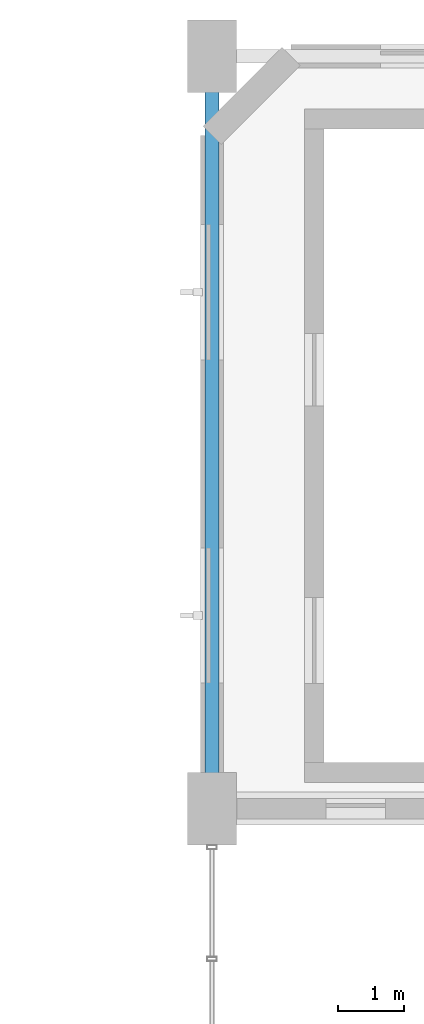
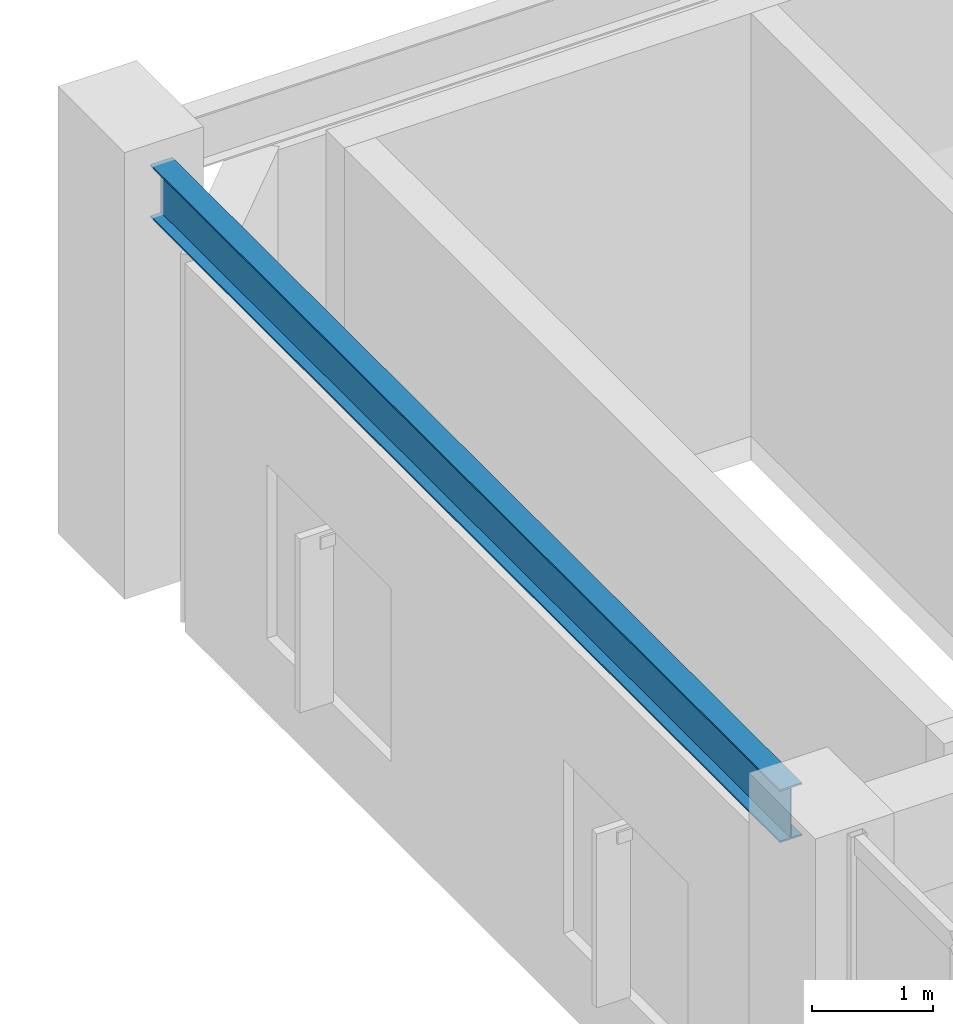
# One storey, part 17 of 48: 1 beam.
"""IFC4 building model written with IfcOpenShell, lengths in metres."""

from ifc_helpers import new_model, si_unit, direction, frame, origin, origin_2d, place, context, subcontext, project, spatial, i_section, extrude, material, material_profile, profile_set, type_object, element, save


model = new_model("IFC4")

# Units and contexts
model_context = context("Model", 3, precision=1e-05, world=origin(), true_north=direction((0.0, 1.0)))
body_context = subcontext(model_context, "Body", "Model", "MODEL_VIEW")
ifc_project = project(units=[si_unit("LENGTHUNIT", "METRE"), si_unit("AREAUNIT", "SQUARE_METRE"), si_unit("VOLUMEUNIT", "CUBIC_METRE"), si_unit("PLANEANGLEUNIT", "RADIAN"), si_unit("MASSUNIT", "GRAM", prefix="KILO"), si_unit("POWERUNIT", "WATT"), si_unit("THERMODYNAMICTEMPERATUREUNIT", "KELVIN")], contexts=[model_context])

# Site, building, storey
site_placement = place(None, origin())
site = spatial("IfcSite", under=ifc_project, at=site_placement, CompositionType="ELEMENT")
building_placement = place(site_placement, origin())
building = spatial("IfcBuilding", under=site, at=building_placement, Name="Kelmbourne Parkland Aquatics Centre", CompositionType="ELEMENT")
storey_placement = place(building_placement, frame((0.0, 0.0, 14.699951171875)))
storey = spatial("IfcBuildingStorey", under=building, at=storey_placement, Name="L03", CompositionType="ELEMENT", Elevation=14.699951171875)

# Beam
ifc_material = material(Name="Structural steel AS/NZS 3679.1 Grade 300", Category="steel")
ifc_material_profile = material_profile(ifc_material, i_section(OverallWidth=0.208984375, OverallDepth=0.532958984375, WebThickness=0.01025390625, FlangeThickness=0.015625, at=origin_2d()), Name="530UB92.4")
ifc_profile_set = profile_set([ifc_material_profile], Name="Structural steel AS/NZS 3679.1 Grade 300")
beam_type = type_object("IfcBeamType", Name="BM-SP02", PredefinedType="SPANDREL", material=ifc_profile_set)
beam_placement = place(storey_placement, frame((128.0, 103.905029296875, 3.99365234375), z_axis=(0.0, 1.0, 0.0), x_axis=(-1.0, 0.0, 0.0)))
element("IfcBeam", 1, at=beam_placement, inside=storey, type_object=beam_type, Name="Perimeter spandrel 13-14 Grid P (L04)", PredefinedType="SPANDREL", context=body_context, shape_type="SweptSolid", body=[
    extrude(i_section(OverallWidth=0.208984375, OverallDepth=0.532958984375, WebThickness=0.01025390625, FlangeThickness=0.015625, at=origin_2d()), origin(), (0.0, 0.0, 1.0), 10.389892578125),
])

save(model, "model.ifc")
